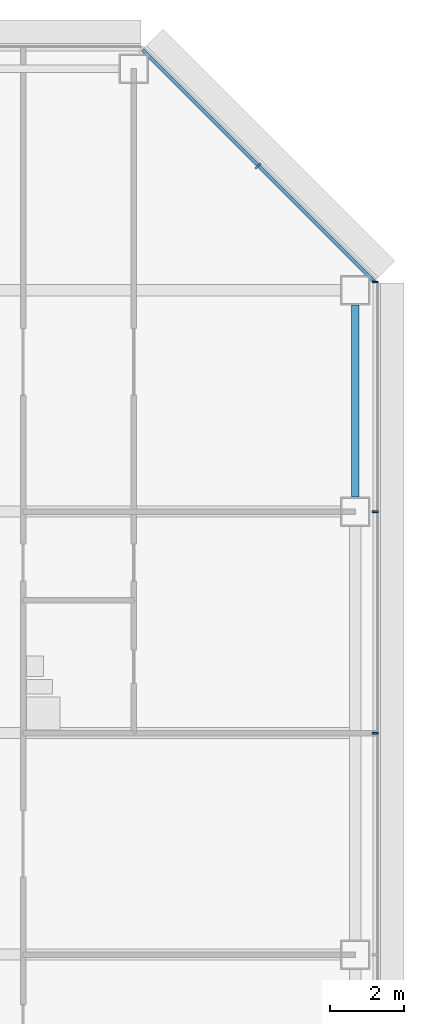
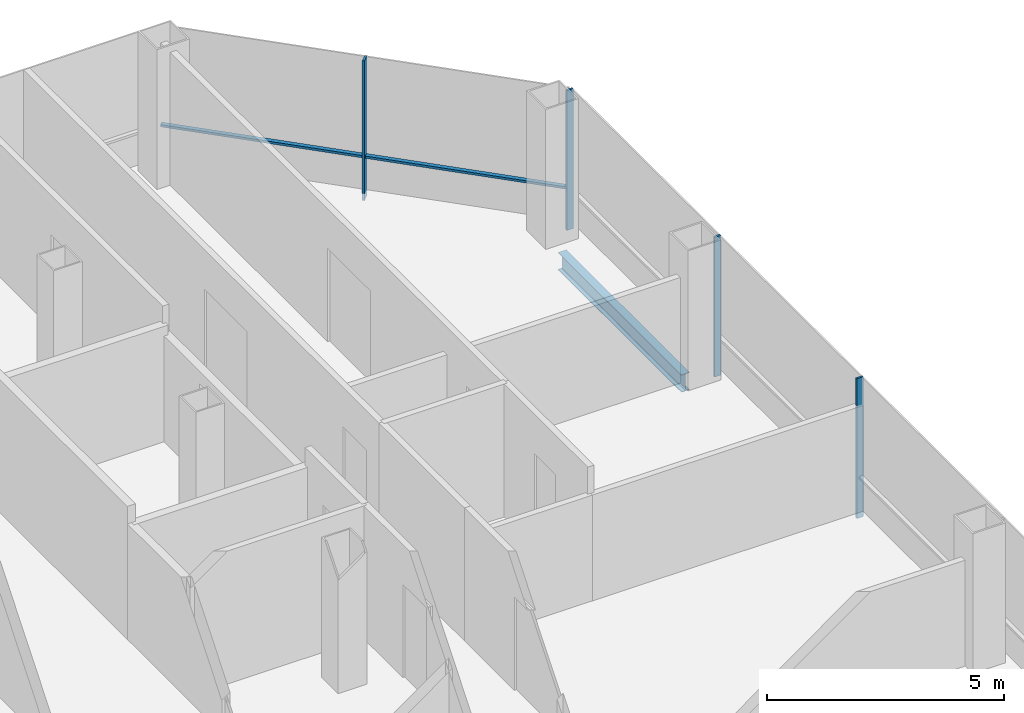
# One storey, part 17 of 25: 5 members, 1 beam, 2 elements without a shape of their own.
"""IFC4 building model written with IfcOpenShell, lengths in metres."""

from ifc_helpers import new_model, si_unit, direction, frame, origin, origin_2d, place, context, subcontext, project, spatial, rectangle, i_section, extrude, material, material_profile, profile_set, type_object, element, aggregate, save


model = new_model("IFC4")

# Units and contexts
model_context = context("Model", 3, precision=1e-05, world=origin(), true_north=direction((0.0, 1.0)))
body_context = subcontext(model_context, "Body", "Model", "MODEL_VIEW")
ifc_project = project(units=[si_unit("LENGTHUNIT", "METRE"), si_unit("AREAUNIT", "SQUARE_METRE"), si_unit("VOLUMEUNIT", "CUBIC_METRE"), si_unit("PLANEANGLEUNIT", "RADIAN"), si_unit("MASSUNIT", "GRAM", prefix="KILO")], contexts=[model_context])

# Site, building, storey
site_placement = place(None, origin())
site = spatial("IfcSite", under=ifc_project, at=site_placement, CompositionType="ELEMENT")
building_placement = place(site_placement, origin())
building = spatial("IfcBuilding", under=site, at=building_placement, Name="Sorahane Residences", CompositionType="ELEMENT")
storey_placement = place(building_placement, frame((0.0, 0.0, 123.199951171875)))
storey = spatial("IfcBuildingStorey", under=building, at=storey_placement, Name="L27", CompositionType="ELEMENT", Elevation=123.199951171875)

# Curtain wall, members
ifc_material_1 = material(Name="Dark low-e glass and black anodised aluminium", Category="aluminium")
curtain_wall_type_1 = type_object("IfcCurtainWallType", Name="Curtain wall CW-1 Typical unitised wall", PredefinedType="NOTDEFINED", material=ifc_material_1)
curtain_wall_1_placement = place(storey_placement, origin())
curtain_wall_1 = element("IfcCurtainWall", 1, at=curtain_wall_1_placement, inside=storey, type_object=curtain_wall_type_1, Name="CW-1 curtain wall L27 E1", PredefinedType="NOTDEFINED")
ifc_material_2 = material(Name="Black anodised aluminium", Category="aluminium")
ifc_material_profile_1 = material_profile(ifc_material_2, rectangle(XDim=0.159912109375, YDim=0.050048828125, at=origin_2d()), Name="Curtain wall mullion CW-1 black anodised aluminium 50x160")
ifc_profile_set_1 = profile_set([ifc_material_profile_1], Name="Black anodised aluminium")
member_type_1 = type_object("IfcMemberType", Name="Curtain wall mullion CW-1 black anodised aluminium 50x160", PredefinedType="MULLION", material=ifc_profile_set_1)
member_1_placement = place(storey_placement, frame((60.5400390625, 30.0, -0.179931640625), z_axis=(0.0, 0.0, 1.0), x_axis=(1.0, 0.0, 0.0)))
member_1 = element("IfcMember", 2, at=member_1_placement, type_object=member_type_1, Name="CW-1 mullion L27 E1.5", PredefinedType="MULLION", context=body_context, shape_type="SweptSolid", body=[
    extrude(rectangle(XDim=0.159912109375, YDim=0.050048828125, at=origin_2d()), origin(), (0.0, 0.0, 1.0), 3.60009765625),
])
member_2_placement = place(storey_placement, frame((60.5400390625, 36.0, -0.179931640625), z_axis=(0.0, 0.0, 1.0), x_axis=(1.0, 0.0, 0.0)))
member_2 = element("IfcMember", 3, at=member_2_placement, type_object=member_type_1, Name="CW-1 mullion L27 E1.6", PredefinedType="MULLION", context=body_context, shape_type="SweptSolid", body=[
    extrude(rectangle(XDim=0.159912109375, YDim=0.050048828125, at=origin_2d()), origin(), (0.0, 0.0, 1.0), 3.60009765625),
])
member_3_placement = place(storey_placement, frame((60.5400390625, 42.2236328125, -0.179931640625), z_axis=(0.0, 0.0, 1.0), x_axis=(1.0, 0.0, 0.0)))
member_3 = element("IfcMember", 4, at=member_3_placement, type_object=member_type_1, Name="CW-1 mullion L27 E1.7", PredefinedType="MULLION", context=body_context, shape_type="SweptSolid", body=[
    extrude(rectangle(XDim=0.159912109375, YDim=0.050048828125, at=origin_2d()), origin(), (0.0, 0.0, 1.0), 3.60009765625),
])
aggregate(curtain_wall_1, [member_1, member_2, member_3])

ifc_material_3 = material(Name="Dark low-e glass and black anodised aluminium", Category="aluminium")
curtain_wall_type_2 = type_object("IfcCurtainWallType", Name="Curtain wall CW-2 Chamfer unitised wall", PredefinedType="NOTDEFINED", material=ifc_material_3)
curtain_wall_2_placement = place(storey_placement, origin())
curtain_wall_2 = element("IfcCurtainWall", 5, at=curtain_wall_2_placement, inside=storey, type_object=curtain_wall_type_2, Name="CW-2 curtain wall L27 NE1", PredefinedType="NOTDEFINED")
ifc_material_4 = material(Name="Black anodised aluminium", Category="aluminium")
ifc_material_profile_2 = material_profile(ifc_material_4, rectangle(XDim=0.199951171875, YDim=0.050048828125, at=origin_2d()), Name="Curtain wall mullion CW-2 black anodised aluminium 50x200")
ifc_profile_set_2 = profile_set([ifc_material_profile_2], Name="Black anodised aluminium")
member_type_2 = type_object("IfcMemberType", Name="Curtain wall mullion CW-2 black anodised aluminium 50x200", PredefinedType="MULLION", material=ifc_profile_set_2)
member_4_placement = place(storey_placement, frame((57.36767578125, 45.36767578125, -0.179931640625), z_axis=(0.0, 0.0, 1.0), x_axis=(0.707106781187, 0.707106781187, 0.0)))
member_4 = element("IfcMember", 6, at=member_4_placement, type_object=member_type_2, Name="CW-2 mullion L27 NE1.2", PredefinedType="MULLION", context=body_context, shape_type="SweptSolid", body=[
    extrude(rectangle(XDim=0.199951171875, YDim=0.050048828125, at=origin_2d()), origin(), (0.0, 0.0, 1.0), 3.60009765625),
])
ifc_material_5 = material(Name="Black anodised aluminium", Category="aluminium")
ifc_material_profile_3 = material_profile(ifc_material_5, rectangle(XDim=0.10009765625, YDim=0.06005859375, at=origin_2d()), Name="Curtain wall transom CW-2 black anodised aluminium 60x100")
ifc_profile_set_3 = profile_set([ifc_material_profile_3], Name="Black anodised aluminium")
member_type_3 = type_object("IfcMemberType", Name="Curtain wall transom CW-2 black anodised aluminium 60x100", PredefinedType="USERDEFINED", material=ifc_profile_set_3)
member_5_placement = place(storey_placement, frame((60.51513671875, 42.234375, 0.900146484375), z_axis=(-0.707106781187, 0.707106781187, 0.0), x_axis=(-0.707106781187, -0.707106781187, 0.0)))
member_5 = element("IfcMember", 7, at=member_5_placement, type_object=member_type_3, Name="CW-2 transom L27 NE1", ObjectType="TRANSOM", PredefinedType="USERDEFINED", context=body_context, shape_type="SweptSolid", body=[
    extrude(rectangle(XDim=0.10009765625, YDim=0.06005859375, at=origin_2d()), origin(), (0.0, 0.0, 1.0), 8.88232421875),
])
aggregate(curtain_wall_2, [member_4, member_5])

# Beam
ifc_material_6 = material(Name="Steel Q355B", Category="steel")
ifc_material_profile_4 = material_profile(ifc_material_6, i_section(OverallWidth=0.199951171875, OverallDepth=0.449951171875, WebThickness=0.009033203125, FlangeThickness=0.013916015625, FilletRadius=0.02001953125, at=origin_2d()), Name="HN 450x200x9x14")
ifc_profile_set_4 = profile_set([ifc_material_profile_4], Name="Steel Q355B")
beam_type = type_object("IfcBeamType", Name="Steel floor beam HN 450x200x9x14 Q355B", PredefinedType="BEAM", material=ifc_profile_set_4)
beam_placement = place(storey_placement, frame((60.0, 36.39990234375, -0.405029296875), z_axis=(0.0, 1.0, 0.0), x_axis=(-1.0, 0.0, 0.0)))
element("IfcBeam", 8, at=beam_placement, inside=storey, type_object=beam_type, Name="Beam L27 067", PredefinedType="BEAM", context=body_context, shape_type="SweptSolid", body=[
    extrude(i_section(OverallWidth=0.199951171875, OverallDepth=0.449951171875, WebThickness=0.009033203125, FlangeThickness=0.013916015625, FilletRadius=0.02001953125, at=origin_2d()), origin(), (0.0, 0.0, 1.0), 5.2001953125),
])

save(model, "model.ifc")
